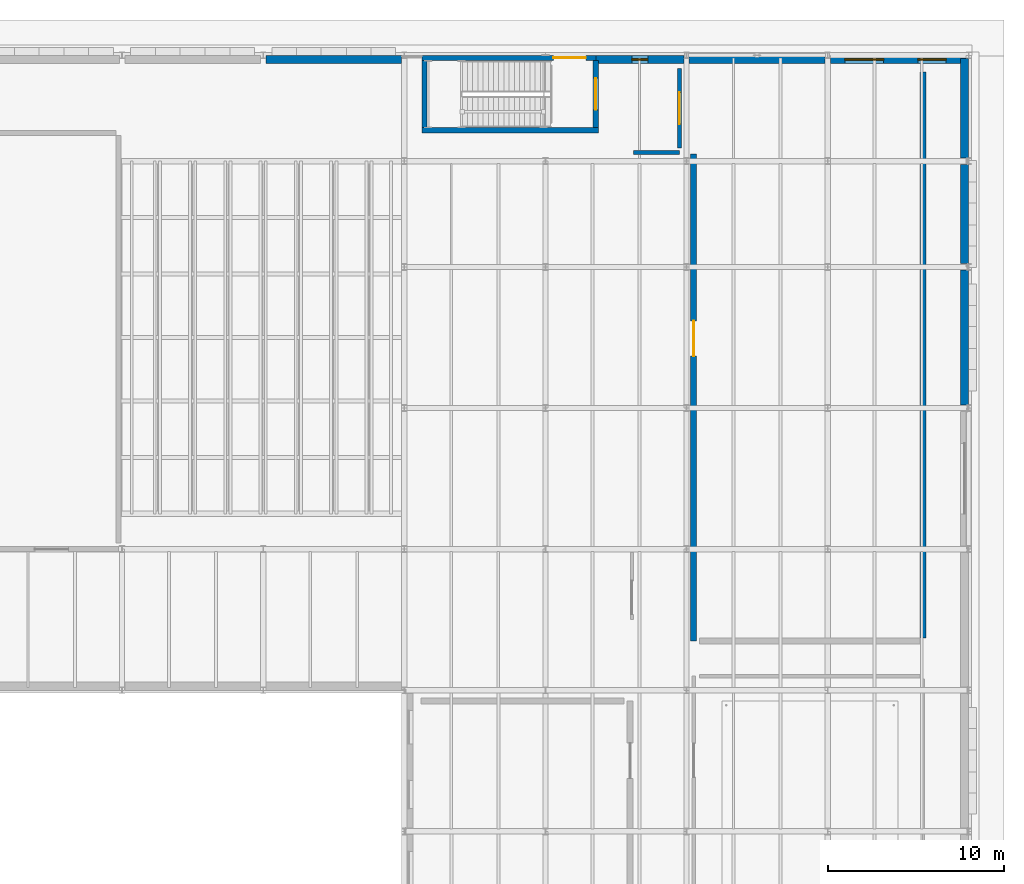
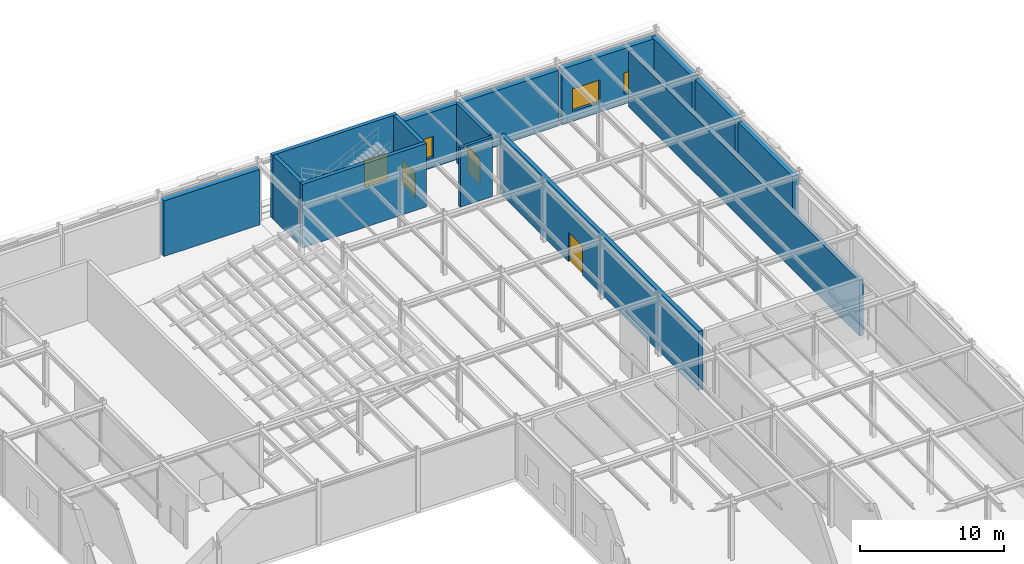
# One storey, part 87 of 129: 15 walls, 4 doors, 3 windows, 7 openings.
"""IFC4 building model written with IfcOpenShell, lengths in metres."""

from ifc_helpers import new_model, si_unit, direction, frame, frame_2d, origin, place, context, subcontext, project, spatial, rectangle, extrude, material, layer, layer_set, type_object, element, fill, save


model = new_model("IFC4")

# Units and contexts
model_context = context("Model", 3, precision=1e-05, world=origin(), true_north=direction((0.0, 1.0)))
body_context = subcontext(model_context, "Body", "Model", "MODEL_VIEW")
ifc_project = project(units=[si_unit("LENGTHUNIT", "METRE"), si_unit("AREAUNIT", "SQUARE_METRE"), si_unit("VOLUMEUNIT", "CUBIC_METRE"), si_unit("PLANEANGLEUNIT", "RADIAN"), si_unit("MASSUNIT", "GRAM", prefix="KILO")], contexts=[model_context])

# Site, building, storey
site_placement = place(None, origin())
site = spatial("IfcSite", under=ifc_project, at=site_placement, CompositionType="ELEMENT")
building_placement = place(site_placement, origin())
building = spatial("IfcBuilding", under=site, at=building_placement, Name="Sundkrona Museum", CompositionType="ELEMENT")
storey_placement = place(building_placement, origin())
storey = spatial("IfcBuildingStorey", under=building, at=storey_placement, Name="L00", CompositionType="ELEMENT", Elevation=0.0)

# Wall, opening, door
ifc_material_1 = material(Name="Concrete C40/50", Category="concrete")
ifc_layer_1 = layer(ifc_material_1, 0.330078125)
ifc_layer_set_1 = layer_set([ifc_layer_1], Name="Concrete C40/50")
wall_type_1 = type_object("IfcWallType", Name="W-ARC-120", PredefinedType="SOLIDWALL", material=ifc_layer_set_1)
wall_1_placement = place(storey_placement, frame((152.39990234375, 80.800048828125, 0.0), z_axis=(0.0, 0.0, 1.0), x_axis=(0.0, 1.0, 0.0)))
wall_1 = element("IfcWall", 1, at=wall_1_placement, inside=storey, type_object=wall_type_1, Name="L00 Partition East Logistics Corridor / Loading Dock", PredefinedType="SOLIDWALL", context=body_context, shape_type="SweptSolid", body=[
    extrude(rectangle(XDim=27.599853515625, YDim=0.330078125, at=frame_2d((13.7998046875, 0.0))), origin(), (0.0, 0.0, 1.0), 5.050048828125),
])
opening_1_placement = place(wall_1_placement, frame((16.14501953125, 0.0, 0.0)))
opening_1 = element("IfcOpeningElement", 2, at=opening_1_placement, cuts=wall_1, Name="Opening D-ARC-120", PredefinedType="OPENING", context=body_context, shape_type="SweptSolid", body=[
    extrude(rectangle(XDim=2.0, YDim=2.5, at=frame_2d((1.0, 1.25))), frame((0.0, 0.175048828125, 0.0), z_axis=(0.0, -1.0, 0.0), x_axis=(1.0, 0.0, 0.0)), (0.0, 0.0, 1.0), 0.35009765625),
])
ifc_material_2 = material(Name="Insulated Steel Vault Door", Category="steel")
door_type_1 = type_object("IfcDoorType", Name="D-ARC-120", OperationType="DOUBLE_DOOR_SINGLE_SWING", PredefinedType="DOOR", material=ifc_material_2)
door_1_placement = place(opening_1_placement, origin())
door_1 = element("IfcDoor", 3, at=door_1_placement, inside=storey, type_object=door_type_1, Name="L00 Interior Door DR-ADJ-L00-0050", OperationType="DOUBLE_DOOR_SINGLE_SWING", OverallHeight=2.5, OverallWidth=2.0, PredefinedType="DOOR", context=body_context, shape_type="SweptSolid", body=[
    extrude(rectangle(XDim=2.0, YDim=2.5, at=frame_2d((1.0, 1.25))), frame((0.0, 0.02490234375, 0.0), z_axis=(0.0, -1.0, 0.0), x_axis=(1.0, 0.0, 0.0)), (0.0, 0.0, 1.0), 0.050048828125),
])
fill(opening_1, door_1)

# Walls
wall_2_placement = place(storey_placement, frame((165.39990234375, 80.949951171875, 0.0), z_axis=(0.0, 0.0, 1.0), x_axis=(0.0, 1.0, 0.0)))
element("IfcWall", 4, at=wall_2_placement, inside=storey, type_object=wall_type_1, Name="L00 Loading Dock Enclosure Wall E", PredefinedType="SOLIDWALL", context=body_context, shape_type="SweptSolid", body=[
    extrude(rectangle(XDim=32.10009765625, YDim=0.330078125, at=frame_2d((16.050048828125, 0.0))), origin(), (0.0, 0.0, 1.0), 4.719970703125),
])
ifc_layer_2 = layer(ifc_material_1, 0.300048828125)
ifc_layer_set_2 = layer_set([ifc_layer_2], Name="Concrete C40/50")
wall_type_2 = type_object("IfcWallType", Name="W-CORE-300", PredefinedType="SHEAR", material=ifc_layer_set_2)
wall_3_placement = place(storey_placement, frame((137.0, 109.75, 0.0), z_axis=(0.0, 0.0, 1.0), x_axis=(1.0, 0.0, 0.0)))
element("IfcWall", 5, at=wall_3_placement, inside=storey, type_object=wall_type_2, Name="L00 ST-5 Core Shear Wall South", PredefinedType="SHEAR", context=body_context, shape_type="SweptSolid", body=[
    extrude(rectangle(XDim=10.0, YDim=0.300048828125, at=frame_2d((5.0, 0.0))), origin(), (0.0, 0.0, 1.0), 5.39990234375),
])

# Wall, opening, door
wall_4_placement = place(storey_placement, frame((137.0, 113.85009765625, 0.0), z_axis=(0.0, 0.0, 1.0), x_axis=(1.0, 0.0, 0.0)))
wall_4 = element("IfcWall", 6, at=wall_4_placement, inside=storey, type_object=wall_type_2, Name="L00 ST-5 Core Shear Wall North", PredefinedType="SHEAR", context=body_context, shape_type="SweptSolid", body=[
    extrude(rectangle(XDim=10.0, YDim=0.300048828125, at=frame_2d((5.0, 0.0))), origin(), (0.0, 0.0, 1.0), 5.39990234375),
])
opening_2_placement = place(wall_4_placement, frame((7.449951171875, 0.0, 0.0)))
opening_2 = element("IfcOpeningElement", 7, at=opening_2_placement, cuts=wall_4, Name="Opening D-EX-185", PredefinedType="OPENING", context=body_context, shape_type="SweptSolid", body=[
    extrude(rectangle(XDim=1.85009765625, YDim=2.300048828125, at=frame_2d((0.925048828125, 1.14990234375))), frame((0.0, 0.159912109375, 0.0), z_axis=(0.0, -1.0, 0.0), x_axis=(1.0, 0.0, 0.0)), (0.0, 0.0, 1.0), 0.320068359375),
])
ifc_material_3 = material(Name="Thermally Broken Aluminium Exit Door", Category="aluminium")
door_type_2 = type_object("IfcDoorType", Name="D-EX-185", OperationType="DOUBLE_DOOR_SINGLE_SWING", PredefinedType="DOOR", material=ifc_material_3)
door_2_placement = place(opening_2_placement, origin())
door_2 = element("IfcDoor", 8, at=door_2_placement, inside=storey, type_object=door_type_2, Name="Core 5 ST-5 North Avenue Exit Door DR-ST5-EXIT", OperationType="DOUBLE_DOOR_SINGLE_SWING", OverallHeight=2.300048828125, OverallWidth=1.85009765625, PredefinedType="DOOR", context=body_context, shape_type="SweptSolid", body=[
    extrude(rectangle(XDim=1.85009765625, YDim=2.300048828125, at=frame_2d((0.925048828125, 1.14990234375))), frame((0.0, 0.02490234375, 0.0), z_axis=(0.0, -1.0, 0.0), x_axis=(1.0, 0.0, 0.0)), (0.0, 0.0, 1.0), 0.050048828125),
])
fill(opening_2, door_2)

# Wall
wall_5_placement = place(storey_placement, frame((137.14990234375, 109.909912109375, 0.0), z_axis=(0.0, 0.0, 1.0), x_axis=(0.0, 1.0, 0.0)))
element("IfcWall", 9, at=wall_5_placement, inside=storey, type_object=wall_type_2, Name="L00 ST-5 Core Shear Wall West", PredefinedType="SHEAR", context=body_context, shape_type="SweptSolid", body=[
    extrude(rectangle(XDim=3.780029296875, YDim=0.300048828125, at=frame_2d((1.89013671875, 0.0))), origin(), (0.0, 0.0, 1.0), 5.39990234375),
])

# Wall, opening, door
wall_6_placement = place(storey_placement, frame((146.85009765625, 109.909912109375, 0.0), z_axis=(0.0, 0.0, 1.0), x_axis=(0.0, 1.0, 0.0)))
wall_6 = element("IfcWall", 10, at=wall_6_placement, inside=storey, type_object=wall_type_2, Name="L00 ST-5 Core Shear Wall East", PredefinedType="SHEAR", context=body_context, shape_type="SweptSolid", body=[
    extrude(rectangle(XDim=3.780029296875, YDim=0.300048828125, at=frame_2d((1.89013671875, 0.0))), origin(), (0.0, 0.0, 1.0), 5.39990234375),
])
opening_3_placement = place(wall_6_placement, frame((0.989990234375, 0.0, 0.0)))
opening_3 = element("IfcOpeningElement", 11, at=opening_3_placement, cuts=wall_6, Name="Opening D-FD60", PredefinedType="OPENING", context=body_context, shape_type="SweptSolid", body=[
    extrude(rectangle(XDim=1.800048828125, YDim=2.199951171875, at=frame_2d((0.89990234375, 1.10009765625))), frame((0.0, 0.159912109375, 0.0), z_axis=(0.0, -1.0, 0.0), x_axis=(1.0, 0.0, 0.0)), (0.0, 0.0, 1.0), 0.320068359375),
])
ifc_material_4 = material(Name="Steel S355J2 Fire Door Leaf", Category="steel")
door_type_3 = type_object("IfcDoorType", Name="D-FD60", OperationType="DOUBLE_DOOR_SINGLE_SWING", PredefinedType="DOOR", material=ifc_material_4)
door_3_placement = place(opening_3_placement, origin())
door_3 = element("IfcDoor", 12, at=door_3_placement, inside=storey, type_object=door_type_3, Name="L00 ST-5 Protected Escape Stair Door DR-ST-5-L00", OperationType="DOUBLE_DOOR_SINGLE_SWING", OverallHeight=2.199951171875, OverallWidth=1.800048828125, PredefinedType="DOOR", context=body_context, shape_type="SweptSolid", body=[
    extrude(rectangle(XDim=1.800048828125, YDim=2.199951171875, at=frame_2d((0.89990234375, 1.10009765625))), frame((0.0, 0.02490234375, 0.0), z_axis=(0.0, -1.0, 0.0), x_axis=(1.0, 0.0, 0.0)), (0.0, 0.0, 1.0), 0.050048828125),
])
fill(opening_3, door_3)

# Wall
ifc_material_5 = material(Name="Autoclaved Aerated Masonry 225 mm", Category="masonry")
ifc_layer_3 = layer(ifc_material_5, 0.22509765625)
ifc_layer_set_3 = layer_set([ifc_layer_3], Name="Autoclaved Aerated Masonry 225 mm")
wall_type_3 = type_object("IfcWallType", Name="W-FF-225", PredefinedType="SOLIDWALL", material=ifc_layer_set_3)
wall_7_placement = place(storey_placement, frame((149.0, 108.5, 0.0), z_axis=(0.0, 0.0, 1.0), x_axis=(1.0, 0.0, 0.0)))
element("IfcWall", 13, at=wall_7_placement, inside=storey, type_object=wall_type_3, Name="L00 Partition Core 5 Stair Lobby / East Logistics Corridor", PredefinedType="SOLIDWALL", context=body_context, shape_type="SweptSolid", body=[
    extrude(rectangle(XDim=2.60009765625, YDim=0.22509765625, at=frame_2d((1.300048828125, 0.0))), origin(), (0.0, 0.0, 1.0), 5.050048828125),
])

# Wall, opening, door
wall_8_placement = place(storey_placement, frame((151.60009765625, 113.25, 0.0), z_axis=(0.0, 0.0, 1.0), x_axis=(0.0, -1.0, 0.0)))
wall_8 = element("IfcWall", 14, at=wall_8_placement, inside=storey, type_object=wall_type_3, Name="L00 Core 5 Stair Lobby Enclosure Wall E", PredefinedType="SOLIDWALL", context=body_context, shape_type="SweptSolid", body=[
    extrude(rectangle(XDim=4.5, YDim=0.22509765625, at=frame_2d((2.25, 0.0))), origin(), (0.0, 0.0, 1.0), 5.050048828125),
])
opening_4_placement = place(wall_8_placement, frame((1.35009765625, 0.0, 0.0)))
opening_4 = element("IfcOpeningElement", 15, at=opening_4_placement, cuts=wall_8, Name="Opening D-FD60", PredefinedType="OPENING", context=body_context, shape_type="SweptSolid", body=[
    extrude(rectangle(XDim=1.800048828125, YDim=2.199951171875, at=frame_2d((0.89990234375, 1.10009765625))), frame((0.0, 0.12255859375, 0.0), z_axis=(0.0, -1.0, 0.0), x_axis=(1.0, 0.0, 0.0)), (0.0, 0.0, 1.0), 0.2451171875),
])
door_4_placement = place(opening_4_placement, origin())
door_4 = element("IfcDoor", 16, at=door_4_placement, inside=storey, type_object=door_type_3, Name="L00 Interior Door DR-INT-L00-0070", OperationType="DOUBLE_DOOR_SINGLE_SWING", OverallHeight=2.199951171875, OverallWidth=1.800048828125, PredefinedType="DOOR", context=body_context, shape_type="SweptSolid", body=[
    extrude(rectangle(XDim=1.800048828125, YDim=2.199951171875, at=frame_2d((0.89990234375, 1.10009765625))), frame((0.0, 0.02490234375, 0.0), z_axis=(0.0, -1.0, 0.0), x_axis=(1.0, 0.0, 0.0)), (0.0, 0.0, 1.0), 0.050048828125),
])
fill(opening_4, door_4)

# Walls
ifc_material_6 = material(Name="Danian Limestone Ashlar Masonry 480 mm", Category="masonry")
ifc_layer_4 = layer(ifc_material_6, 0.47998046875)
ifc_layer_set_4 = layer_set([ifc_layer_4], Name="Danian Limestone Ashlar Masonry 480 mm")
wall_type_4 = type_object("IfcWallType", Name="W-LIM-480", PredefinedType="SOLIDWALL", material=ifc_layer_set_4)
wall_9_placement = place(storey_placement, frame((167.760009765625, 101.818115234375, 0.0), z_axis=(0.0, 0.0, 1.0), x_axis=(0.0, -1.0, 0.0)))
element("IfcWall", 17, at=wall_9_placement, inside=storey, type_object=wall_type_4, Name="L00 Facade Wall 0321", PredefinedType="SOLIDWALL", context=body_context, shape_type="SweptSolid", body=[
    extrude(rectangle(XDim=7.63623046875, YDim=0.47998046875, at=frame_2d((3.818115234375, 0.0))), origin(), (0.0, 0.0, 1.0), 4.72509765625),
])
for number, where, z_axis, x_axis, name in (
    (18, (167.760009765625, 107.818115234375, 0.0), (0.0, 0.0, 1.0), (0.0, -1.0, 0.0), "L00 Facade Wall 0322"),
    (19, (167.760009765625, 113.818115234375, 0.0), (0.0, 0.0, 1.0), (0.0, -1.0, 0.0), "L00 Facade Wall 0323"),
):
    element("IfcWall", number, at=place(storey_placement, frame(where, z_axis=z_axis, x_axis=x_axis)), inside=storey, type_object=wall_type_4, Name=name, PredefinedType="SOLIDWALL", context=body_context, shape_type="SweptSolid", body=[
        extrude(rectangle(XDim=5.63623046875, YDim=0.47998046875, at=frame_2d((2.818115234375, 0.0))), origin(), (0.0, 0.0, 1.0), 4.72509765625),
    ])
wall_10_placement = place(storey_placement, frame((128.152099609375, 113.760009765625, 0.0), z_axis=(0.0, 0.0, 1.0), x_axis=(1.0, 0.0, 0.0)))
element("IfcWall", 20, at=wall_10_placement, inside=storey, type_object=wall_type_4, Name="L00 Facade Wall 0327", PredefinedType="SOLIDWALL", context=body_context, shape_type="SweptSolid", body=[
    extrude(rectangle(XDim=7.69580078125, YDim=0.47998046875, at=frame_2d((3.847900390625, 0.0))), origin(), (0.0, 0.0, 1.0), 4.72509765625),
])

# Wall, opening, window
wall_11_placement = place(storey_placement, frame((146.860107421875, 113.760009765625, 0.0), z_axis=(0.0, 0.0, 1.0), x_axis=(1.0, 0.0, 0.0)))
wall_11 = element("IfcWall", 21, at=wall_11_placement, inside=storey, type_object=wall_type_4, Name="L00 Facade Wall 0328", PredefinedType="SOLIDWALL", context=body_context, shape_type="SweptSolid", body=[
    extrude(rectangle(XDim=4.98779296875, YDim=0.47998046875, at=frame_2d((2.493896484375, 0.0))), origin(), (0.0, 0.0, 1.0), 4.72509765625),
])
opening_5_placement = place(wall_11_placement, frame((2.0439453125, 0.0, 0.85009765625)))
opening_5 = element("IfcOpeningElement", 22, at=opening_5_placement, cuts=wall_11, Name="Opening WN-ST-090x180", PredefinedType="OPENING", context=body_context, shape_type="SweptSolid", body=[
    extrude(rectangle(XDim=0.89990234375, YDim=1.800048828125, at=frame_2d((0.449951171875, 0.89990234375))), frame((0.0, 0.25, 0.0), z_axis=(0.0, -1.0, 0.0), x_axis=(1.0, 0.0, 0.0)), (0.0, 0.0, 1.0), 0.5),
])
ifc_material_7 = material(Name="Triple Low-E Argon Glazing in Bronze-Anodised Aluminium", Category="aluminium")
window_type_1 = type_object("IfcWindowType", Name="WN-ST-090x180", PartitioningType="SINGLE_PANEL", PredefinedType="WINDOW", material=ifc_material_7)
window_1_placement = place(opening_5_placement, origin())
window_1 = element("IfcWindow", 23, at=window_1_placement, inside=storey, type_object=window_type_1, Name="L00 Stair-core avenue daylight slot window 900x1800 WIN-L00-0436", OverallHeight=1.800048828125, OverallWidth=0.89990234375, PartitioningType="SINGLE_PANEL", PredefinedType="WINDOW", context=body_context, shape_type="SweptSolid", body=[
    extrude(rectangle(XDim=0.89990234375, YDim=1.800048828125, at=frame_2d((0.449951171875, 0.89990234375))), frame((0.0, 0.030029296875, 0.0), z_axis=(0.0, -1.0, 0.0), x_axis=(1.0, 0.0, 0.0)), (0.0, 0.0, 1.0), 0.06005859375),
])
fill(opening_5, window_1)

# Wall
wall_12_placement = place(storey_placement, frame((152.152099609375, 113.760009765625, 0.0), z_axis=(0.0, 0.0, 1.0), x_axis=(1.0, 0.0, 0.0)))
element("IfcWall", 24, at=wall_12_placement, inside=storey, type_object=wall_type_4, Name="L00 Facade Wall 0329", PredefinedType="SOLIDWALL", context=body_context, shape_type="SweptSolid", body=[
    extrude(rectangle(XDim=7.69580078125, YDim=0.47998046875, at=frame_2d((3.847900390625, 0.0))), origin(), (0.0, 0.0, 1.0), 4.72509765625),
])

# Wall, openings, windows
wall_13_placement = place(storey_placement, frame((160.152099609375, 113.760009765625, 0.0), z_axis=(0.0, 0.0, 1.0), x_axis=(1.0, 0.0, 0.0)))
wall_13 = element("IfcWall", 25, at=wall_13_placement, inside=storey, type_object=wall_type_4, Name="L00 Facade Wall 0330", PredefinedType="SOLIDWALL", context=body_context, shape_type="SweptSolid", body=[
    extrude(rectangle(XDim=7.69580078125, YDim=0.47998046875, at=frame_2d((3.847900390625, 0.0))), origin(), (0.0, 0.0, 1.0), 4.72509765625),
])
opening_6_placement = place(wall_13_placement, frame((0.823974609375, 0.0, 0.85009765625)))
opening_6 = element("IfcOpeningElement", 26, at=opening_6_placement, cuts=wall_13, Name="Opening WN-LB-220x190", PredefinedType="OPENING", context=body_context, shape_type="SweptSolid", body=[
    extrude(rectangle(XDim=2.199951171875, YDim=1.89990234375, at=frame_2d((1.10009765625, 0.949951171875))), frame((0.0, 0.25, 0.0), z_axis=(0.0, -1.0, 0.0), x_axis=(1.0, 0.0, 0.0)), (0.0, 0.0, 1.0), 0.5),
])
opening_7_placement = place(wall_13_placement, frame((4.971923828125, 0.0, 0.85009765625)))
opening_7 = element("IfcOpeningElement", 27, at=opening_7_placement, cuts=wall_13, Name="Opening WN-LB-160x180", PredefinedType="OPENING", context=body_context, shape_type="SweptSolid", body=[
    extrude(rectangle(XDim=1.60009765625, YDim=1.800048828125, at=frame_2d((0.800048828125, 0.89990234375))), frame((0.0, 0.25, 0.0), z_axis=(0.0, -1.0, 0.0), x_axis=(1.0, 0.0, 0.0)), (0.0, 0.0, 1.0), 0.5),
])
window_type_2 = type_object("IfcWindowType", Name="WN-LB-160x180", PartitioningType="DOUBLE_PANEL_VERTICAL", PredefinedType="WINDOW", material=ifc_material_7)
window_2_placement = place(opening_7_placement, origin())
window_2 = element("IfcWindow", 28, at=window_2_placement, inside=storey, type_object=window_type_2, Name="L00 Conservation laboratory deep-reveal window 1600x1800 WIN-L00-0438", OverallHeight=1.800048828125, OverallWidth=1.60009765625, PartitioningType="DOUBLE_PANEL_VERTICAL", PredefinedType="WINDOW", context=body_context, shape_type="SweptSolid", body=[
    extrude(rectangle(XDim=1.60009765625, YDim=1.800048828125, at=frame_2d((0.800048828125, 0.89990234375))), frame((0.0, 0.030029296875, 0.0), z_axis=(0.0, -1.0, 0.0), x_axis=(1.0, 0.0, 0.0)), (0.0, 0.0, 1.0), 0.06005859375),
])
fill(opening_7, window_2)
window_type_3 = type_object("IfcWindowType", Name="WN-LB-220x190", PartitioningType="TRIPLE_PANEL_VERTICAL", PredefinedType="WINDOW", material=ifc_material_7)
window_3_placement = place(opening_6_placement, origin())
window_3 = element("IfcWindow", 29, at=window_3_placement, inside=storey, type_object=window_type_3, Name="L00 Restoration studio north-light window 2200x1900 WIN-L00-0437", OverallHeight=1.89990234375, OverallWidth=2.199951171875, PartitioningType="TRIPLE_PANEL_VERTICAL", PredefinedType="WINDOW", context=body_context, shape_type="SweptSolid", body=[
    extrude(rectangle(XDim=2.199951171875, YDim=1.89990234375, at=frame_2d((1.10009765625, 0.949951171875))), frame((0.0, 0.030029296875, 0.0), z_axis=(0.0, -1.0, 0.0), x_axis=(1.0, 0.0, 0.0)), (0.0, 0.0, 1.0), 0.06005859375),
])
fill(opening_6, window_3)

save(model, "model.ifc")
